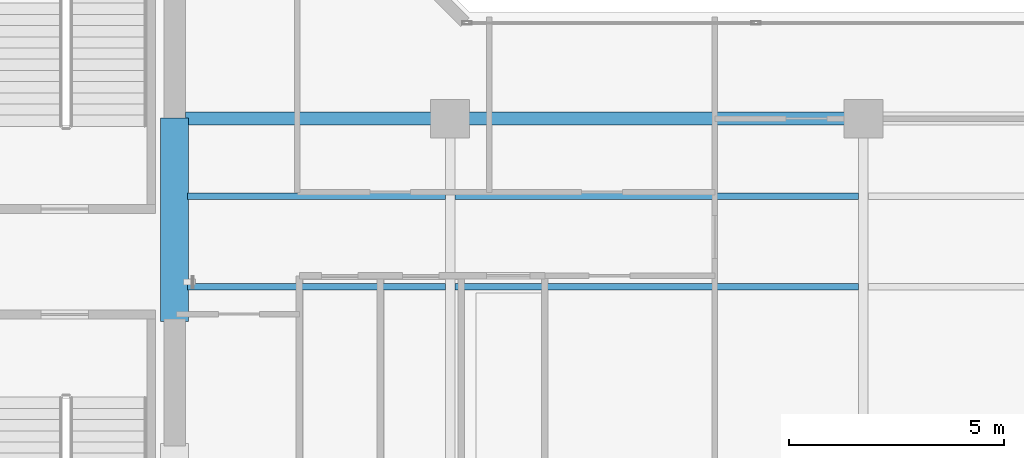
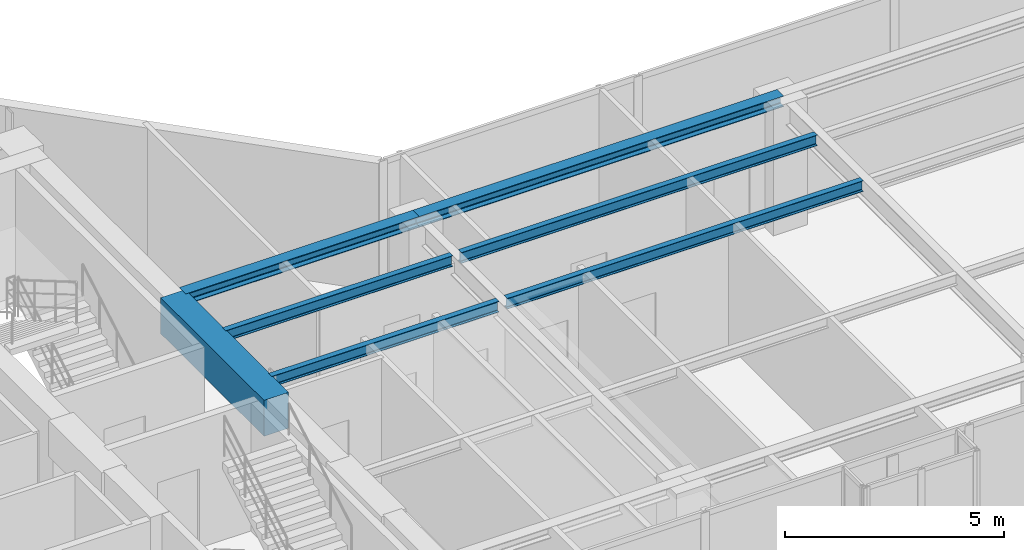
# One storey, part 6 of 22: 7 beams.
"""IFC4 building model written with IfcOpenShell, lengths in metres."""

from ifc_helpers import new_model, si_unit, direction, frame, origin, origin_2d, place, context, subcontext, project, spatial, rectangle, i_section, extrude, material, material_profile, profile_set, type_object, element, save


model = new_model("IFC4")

# Units and contexts
model_context = context("Model", 3, precision=1e-05, world=origin(), true_north=direction((0.0, 1.0)))
body_context = subcontext(model_context, "Body", "Model", "MODEL_VIEW")
ifc_project = project(units=[si_unit("LENGTHUNIT", "METRE"), si_unit("AREAUNIT", "SQUARE_METRE"), si_unit("VOLUMEUNIT", "CUBIC_METRE"), si_unit("PLANEANGLEUNIT", "RADIAN"), si_unit("MASSUNIT", "GRAM", prefix="KILO")], contexts=[model_context])

# Site, building, storey
site_placement = place(None, origin())
site = spatial("IfcSite", under=ifc_project, at=site_placement, CompositionType="ELEMENT")
building_placement = place(site_placement, origin())
building = spatial("IfcBuilding", under=site, at=building_placement, Name="Kolvaren Waterfront Exchange", CompositionType="ELEMENT")
storey_placement = place(building_placement, frame((0.0, 0.0, 312.199951171875)))
storey = spatial("IfcBuildingStorey", under=building, at=storey_placement, Name="L80", CompositionType="ELEMENT", Elevation=312.199951171875)

# Beams
ifc_material_1 = material(Name="Steel S355", Category="steel")
ifc_material_profile_1 = material_profile(ifc_material_1, i_section(OverallWidth=0.300048828125, OverallDepth=0.300048828125, WebThickness=0.010986328125, FlangeThickness=0.01904296875, FilletRadius=0.027099609375, at=origin_2d()), Name="HEB300")
ifc_profile_set_1 = profile_set([ifc_material_profile_1], Name="Steel S355")
beam_type_1 = type_object("IfcBeamType", Name="STR-BM-HEB300", PredefinedType="SPANDREL", material=ifc_profile_set_1)
beam_1_placement = place(storey_placement, frame((21.050048828125, 17.39990234375, 3.41015625), z_axis=(1.0, 0.0, 0.0), x_axis=(0.0, 1.0, 0.0)))
element("IfcBeam", 1, at=beam_1_placement, inside=storey, type_object=beam_type_1, Name="L80 east-arm spandrel N1", PredefinedType="SPANDREL", context=body_context, shape_type="SweptSolid", body=[
    extrude(i_section(OverallWidth=0.300048828125, OverallDepth=0.300048828125, WebThickness=0.010986328125, FlangeThickness=0.01904296875, FilletRadius=0.027099609375, at=origin_2d()), origin(), (0.0, 0.0, 1.0), 6.14990234375),
])
beam_2_placement = place(storey_placement, frame((27.199951171875, 17.39990234375, 3.41015625), z_axis=(1.0, 0.0, 0.0), x_axis=(0.0, 1.0, 0.0)))
element("IfcBeam", 2, at=beam_2_placement, inside=storey, type_object=beam_type_1, Name="L80 east-arm spandrel N2", PredefinedType="SPANDREL", context=body_context, shape_type="SweptSolid", body=[
    extrude(i_section(OverallWidth=0.300048828125, OverallDepth=0.300048828125, WebThickness=0.010986328125, FlangeThickness=0.01904296875, FilletRadius=0.027099609375, at=origin_2d()), origin(), (0.0, 0.0, 1.0), 9.60009765625),
])
ifc_material_profile_2 = material_profile(ifc_material_1, i_section(OverallWidth=0.14990234375, OverallDepth=0.300048828125, WebThickness=0.007080078125, FlangeThickness=0.0107421875, FilletRadius=0.014892578125, at=origin_2d()), Name="IPE300")
ifc_profile_set_2 = profile_set([ifc_material_profile_2], Name="Steel S355")
beam_type_2 = type_object("IfcBeamType", Name="STR-BM-IPE300", PredefinedType="JOIST", material=ifc_profile_set_2)
for number, where, z_axis, x_axis, name in (
    (3, (21.10009765625, 13.5, 3.41015625), (1.0, 0.0, 0.0), (0.0, 1.0, 0.0), "L80 east-arm composite joist 1A"),
    (4, (21.10009765625, 15.60009765625, 3.41015625), (1.0, 0.0, 0.0), (0.0, 1.0, 0.0), "L80 east-arm composite joist 1C"),
):
    element("IfcBeam", number, at=place(storey_placement, frame(where, z_axis=z_axis, x_axis=x_axis)), inside=storey, type_object=beam_type_2, Name=name, PredefinedType="JOIST", context=body_context, shape_type="SweptSolid", body=[
        extrude(i_section(OverallWidth=0.14990234375, OverallDepth=0.300048828125, WebThickness=0.007080078125, FlangeThickness=0.0107421875, FilletRadius=0.014892578125, at=origin_2d()), origin(), (0.0, 0.0, 1.0), 5.98779296875),
    ])
for number, where, z_axis, x_axis, name in (
    (5, (27.31201171875, 13.5, 3.41015625), (1.0, 0.0, 0.0), (0.0, 1.0, 0.0), "L80 east-arm composite joist 2A"),
    (6, (27.31201171875, 15.60009765625, 3.41015625), (1.0, 0.0, 0.0), (0.0, 1.0, 0.0), "L80 east-arm composite joist 2C"),
):
    element("IfcBeam", number, at=place(storey_placement, frame(where, z_axis=z_axis, x_axis=x_axis)), inside=storey, type_object=beam_type_2, Name=name, PredefinedType="JOIST", context=body_context, shape_type="SweptSolid", body=[
        extrude(i_section(OverallWidth=0.14990234375, OverallDepth=0.300048828125, WebThickness=0.007080078125, FlangeThickness=0.0107421875, FilletRadius=0.014892578125, at=origin_2d()), origin(), (0.0, 0.0, 1.0), 9.3759765625),
    ])
ifc_material_2 = material(Name="Concrete C60/75", Category="concrete")
ifc_material_profile_3 = material_profile(ifc_material_2, rectangle(XDim=0.64990234375, YDim=1.0, at=origin_2d()), Name="RC-CB-1000x650")
ifc_profile_set_3 = profile_set([ifc_material_profile_3], Name="Concrete C60/75")
beam_type_3 = type_object("IfcBeamType", Name="STR-CB-1000", PredefinedType="SPANDREL", material=ifc_profile_set_3)
beam_3_placement = place(storey_placement, frame((20.800048828125, 12.68994140625, 3.06005859375), z_axis=(0.0, 1.0, 0.0), x_axis=(-1.0, 0.0, 0.0)))
element("IfcBeam", 7, at=beam_3_placement, inside=storey, type_object=beam_type_3, Name="L80 core coupling beam 2", PredefinedType="SPANDREL", context=body_context, shape_type="SweptSolid", body=[
    extrude(rectangle(XDim=0.64990234375, YDim=1.0, at=origin_2d()), origin(), (0.0, 0.0, 1.0), 4.719970703125),
])

save(model, "model.ifc")
